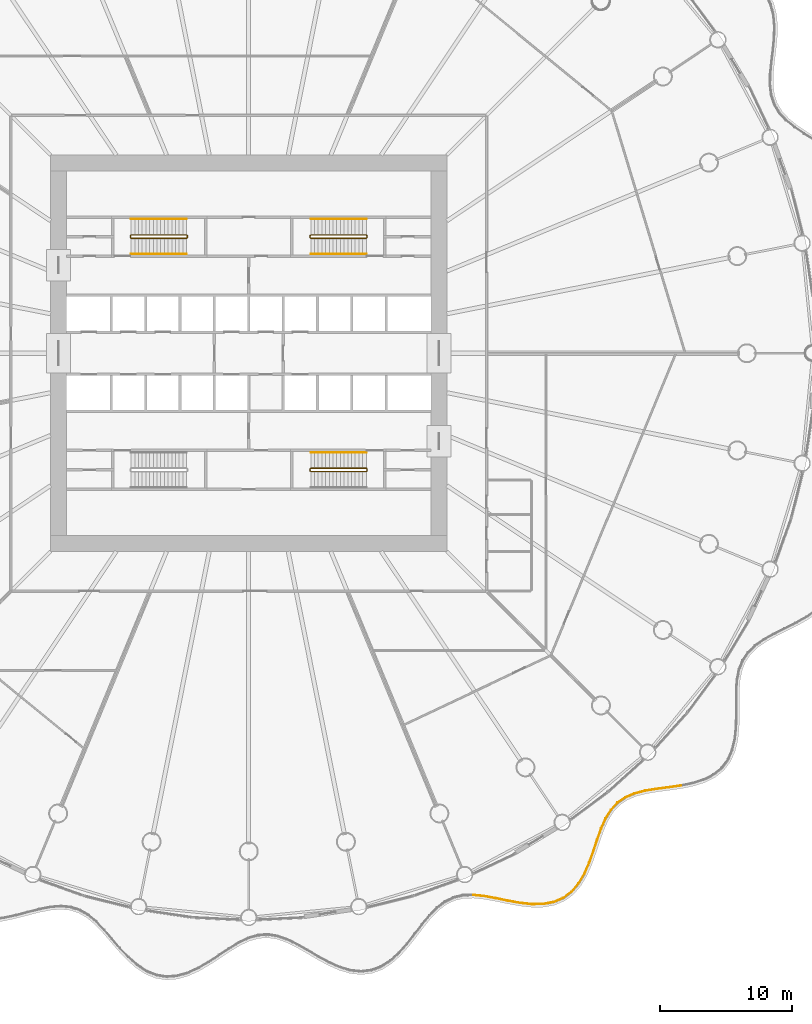
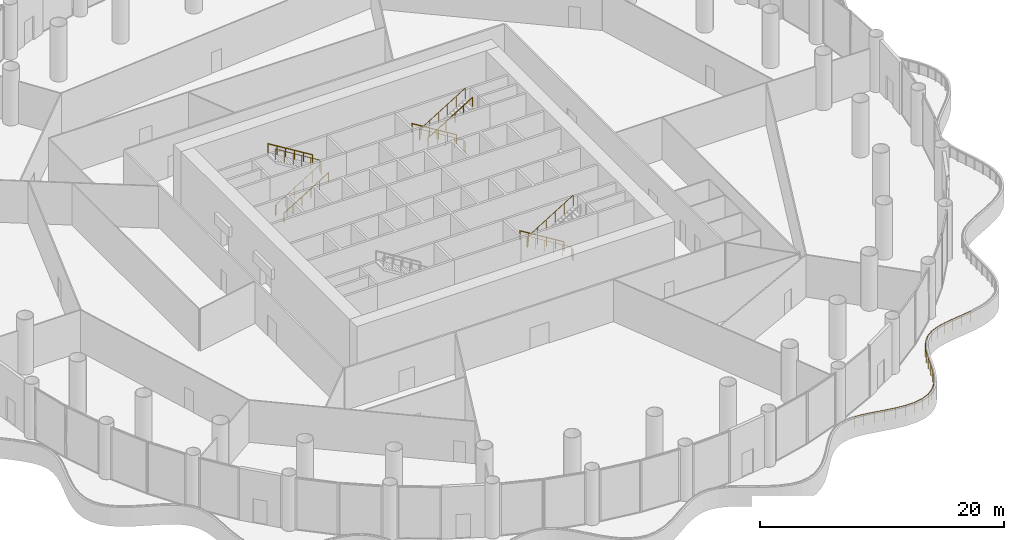
# One storey, part 34 of 37: 9 railings.
"""IFC4 building model written with IfcOpenShell, lengths in metres."""

from ifc_helpers import new_model, si_unit, direction, frame, origin, origin_2d, place, context, subcontext, project, spatial, circle, extrude, material, type_object, element, save


model = new_model("IFC4")

# Units and contexts
model_context = context("Model", 3, precision=1e-05, world=origin(), true_north=direction((0.0, 1.0)))
body_context = subcontext(model_context, "Body", "Model", "MODEL_VIEW")
ifc_project = project(units=[si_unit("LENGTHUNIT", "METRE"), si_unit("AREAUNIT", "SQUARE_METRE"), si_unit("VOLUMEUNIT", "CUBIC_METRE"), si_unit("PLANEANGLEUNIT", "RADIAN"), si_unit("MASSUNIT", "GRAM", prefix="KILO")], contexts=[model_context])

# Site, building, storey
site_placement = place(None, origin())
site = spatial("IfcSite", under=ifc_project, at=site_placement, CompositionType="ELEMENT")
building_placement = place(site_placement, origin())
building = spatial("IfcBuilding", under=site, at=building_placement, Name="Corvane Civic Tower", CompositionType="ELEMENT")
storey_placement = place(building_placement, frame((0.0, 0.0, 11.5)))
storey = spatial("IfcBuildingStorey", under=building, at=storey_placement, Name="L02", CompositionType="ELEMENT", Elevation=11.5)

# Railings
ifc_material_1 = material(Name="Steel ASTM A572 Gr 50", Category="steel")
railing_type_1 = type_object("IfcRailingType", Name="PODIUM-RL-GUARD-1100", PredefinedType="GUARDRAIL", material=ifc_material_1)
railing_1_placement = place(storey_placement, frame((17.009033203125, -41.00634765625, 0.0)))
element("IfcRailing", 1, at=railing_1_placement, inside=storey, type_object=railing_type_1, Name="L02 ribbon guard 10", PredefinedType="GUARDRAIL", context=body_context, shape_type="SweptSolid", body=[
    extrude(circle(Radius=0.02392578125, at=origin_2d()), frame((0.0, 0.0, 1.076171875), z_axis=(0.994563188022, -0.104134840627, 0.0), x_axis=(0.104134840627, 0.994563188022, 0.0)), (0.0, 0.0, 1.0), 0.808837890625),
    extrude(circle(Radius=0.02392578125, at=origin_2d()), frame((0.804443359375, -0.084228515625, 1.076171875), z_axis=(0.983729388064, -0.179656592029, 0.0), x_axis=(0.179656592029, 0.983729388064, 0.0)), (0.0, 0.0, 1.0), 0.891357421875),
    extrude(circle(Radius=0.02392578125, at=origin_2d()), frame((1.681396484375, -0.244384765625, 1.076171875), z_axis=(0.979305409601, -0.202388030095, 0.0), x_axis=(0.202388030095, 0.979305409601, 0.0)), (0.0, 0.0, 1.0), 0.927734375),
    extrude(circle(Radius=0.02392578125, at=origin_2d()), frame((2.58984375, -0.43212890625, 1.076171875), z_axis=(0.983999420882, -0.178171657969, 0.0), x_axis=(0.178171657969, 0.983999420882, 0.0)), (0.0, 0.0, 1.0), 0.93310546875),
    extrude(circle(Radius=0.02392578125, at=origin_2d()), frame((3.508056640625, -0.598388671875, 1.076171875), z_axis=(0.994181417549, -0.107718656697, 0.0), x_axis=(0.107718656697, 0.994181417549, 0.0)), (0.0, 0.0, 1.0), 0.908935546875),
    extrude(circle(Radius=0.02392578125, at=origin_2d()), frame((4.41162109375, -0.6962890625, 1.076171875), z_axis=(0.999911774813, 0.013283169422, 0.0), x_axis=(-0.013283169422, 0.999911774813, 0.0)), (0.0, 0.0, 1.0), 0.86376953125),
    extrude(circle(Radius=0.02392578125, at=origin_2d()), frame((5.275390625, -0.684814453125, 1.076171875), z_axis=(0.982654443902, 0.185446067309, 0.0), x_axis=(-0.185446067309, 0.982654443902, 0.0)), (0.0, 0.0, 1.0), 0.81494140625),
    extrude(circle(Radius=0.02392578125, at=origin_2d()), frame((6.076171875, -0.53369140625, 1.076171875), z_axis=(0.919080514782, 0.394069800096, 0.0), x_axis=(-0.394069800096, 0.919080514782, 0.0)), (0.0, 0.0, 1.0), 0.783203125),
    extrude(circle(Radius=0.02392578125, at=origin_2d()), frame((6.7958984375, -0.22509765625, 1.076171875), z_axis=(0.800859579337, 0.598852180579, 0.0), x_axis=(-0.598852180579, 0.800859579337, 0.0)), (0.0, 0.0, 1.0), 0.783203125),
    extrude(circle(Radius=0.02392578125, at=origin_2d()), frame((7.423095703125, 0.243896484375, 1.076171875), z_axis=(0.651925594689, 0.758282941249, 0.0), x_axis=(-0.758282941249, 0.651925594689, 0.0)), (0.0, 0.0, 1.0), 0.81494140625),
    extrude(circle(Radius=0.02392578125, at=origin_2d()), frame((7.954345703125, 0.86181640625, 1.076171875), z_axis=(0.511250319836, 0.859431853301, 0.0), x_axis=(-0.859431853301, 0.511250319836, 0.0)), (0.0, 0.0, 1.0), 0.86376953125),
    extrude(circle(Radius=0.02392578125, at=origin_2d()), frame((8.39599609375, 1.604248046875, 1.076171875), z_axis=(0.404043622694, 0.914739717603, 0.0), x_axis=(-0.914739717603, 0.404043622694, 0.0)), (0.0, 0.0, 1.0), 0.90869140625),
    extrude(circle(Radius=0.02392578125, at=origin_2d()), frame((8.76318359375, 2.435546875, 1.076171875), z_axis=(0.337496288976, 0.941326858709, 0.0), x_axis=(-0.941326858709, 0.337496288976, 0.0)), (0.0, 0.0, 1.0), 0.93310546875),
    extrude(circle(Radius=0.02392578125, at=origin_2d()), frame((9.078125, 3.31396484375, 1.076171875), z_axis=(0.314490302108, 0.949260685945, 0.0), x_axis=(-0.949260685945, 0.314490302108, 0.0)), (0.0, 0.0, 1.0), 0.927734375),
    extrude(circle(Radius=0.02392578125, at=origin_2d()), frame((9.369873046875, 4.194580078125, 1.076171875), z_axis=(0.336284353127, 0.94176049707, 0.0), x_axis=(-0.94176049707, 0.336284353127, 0.0)), (0.0, 0.0, 1.0), 0.8916015625),
    extrude(circle(Radius=0.02392578125, at=origin_2d()), frame((9.669677734375, 5.0341796875, 1.076171875), z_axis=(0.407062095939, 0.913400487218, 0.0), x_axis=(-0.913400487218, 0.407062095939, 0.0)), (0.0, 0.0, 1.0), 0.833740234375),
    extrude(circle(Radius=0.02392578125, at=origin_2d()), frame((10.009033203125, 5.795654296875, 1.076171875), z_axis=(0.527095063724, 0.849806327229, 0.0), x_axis=(-0.849806327229, 0.527095063724, 0.0)), (0.0, 0.0, 1.0), 0.771728515625),
    extrude(circle(Radius=0.02392578125, at=origin_2d()), frame((10.415771484375, 6.451416015625, 1.076171875), z_axis=(0.680129605089, 0.733091890749, 0.0), x_axis=(-0.733091890749, 0.680129605089, 0.0)), (0.0, 0.0, 1.0), 0.728271484375),
    extrude(circle(Radius=0.02392578125, at=origin_2d()), frame((10.9111328125, 6.9853515625, 1.076171875), z_axis=(0.824769290196, 0.565469378437, 0.0), x_axis=(-0.565469378437, 0.824769290196, 0.0)), (0.0, 0.0, 1.0), 0.72412109375),
    extrude(circle(Radius=0.02392578125, at=origin_2d()), frame((11.50830078125, 7.394775390625, 1.076171875), z_axis=(0.921635375138, 0.388057000058, 0.0), x_axis=(-0.388057000058, 0.921635375138, 0.0)), (0.0, 0.0, 1.0), 0.760009765625),
    extrude(circle(Radius=0.02392578125, at=origin_2d()), frame((12.208740234375, 7.689697265625, 1.076171875), z_axis=(0.968940471293, 0.2472940822, 0.0), x_axis=(-0.2472940822, 0.968940471293, 0.0)), (0.0, 0.0, 1.0), 0.8203125),
    extrude(circle(Radius=0.02392578125, at=origin_2d()), frame((13.003662109375, 7.892578125, 1.076171875), z_axis=(0.987030777898, 0.160531129327, 0.0), x_axis=(-0.160531129327, 0.987030777898, 0.0)), (0.0, 0.0, 1.0), 0.880615234375),
    extrude(circle(Radius=0.02392578125, at=origin_2d()), frame((13.872802734375, 8.033935546875, 1.076171875), z_axis=(0.991831949658, 0.12755149406, 0.0), x_axis=(-0.12755149406, 0.991831949658, 0.0)), (0.0, 0.0, 1.0), 0.922607421875),
    extrude(circle(Radius=0.02392578125, at=origin_2d()), frame((14.787841796875, 8.151611328125, 1.076171875), z_axis=(0.989868812418, 0.141984978788, 0.0), x_axis=(-0.141984978788, 0.989868812418, 0.0)), (0.0, 0.0, 1.0), 0.90966796875),
    extrude(circle(Radius=0.02099609375, at=origin_2d()), origin(), (0.0, 0.0, 1.0), 1.052001953125),
    extrude(circle(Radius=0.02099609375, at=origin_2d()), frame((0.804443359375, -0.084228515625, 0.0)), (0.0, 0.0, 1.0), 1.052001953125),
    extrude(circle(Radius=0.02099609375, at=origin_2d()), frame((1.681396484375, -0.244384765625, 0.0)), (0.0, 0.0, 1.0), 1.052001953125),
    extrude(circle(Radius=0.02099609375, at=origin_2d()), frame((2.58984375, -0.43212890625, 0.0)), (0.0, 0.0, 1.0), 1.052001953125),
    extrude(circle(Radius=0.02099609375, at=origin_2d()), frame((3.508056640625, -0.598388671875, 0.0)), (0.0, 0.0, 1.0), 1.052001953125),
    extrude(circle(Radius=0.02099609375, at=origin_2d()), frame((4.41162109375, -0.6962890625, 0.0)), (0.0, 0.0, 1.0), 1.052001953125),
    extrude(circle(Radius=0.02099609375, at=origin_2d()), frame((5.275390625, -0.684814453125, 0.0)), (0.0, 0.0, 1.0), 1.052001953125),
    extrude(circle(Radius=0.02099609375, at=origin_2d()), frame((6.076171875, -0.53369140625, 0.0)), (0.0, 0.0, 1.0), 1.052001953125),
    extrude(circle(Radius=0.02099609375, at=origin_2d()), frame((6.7958984375, -0.22509765625, 0.0)), (0.0, 0.0, 1.0), 1.052001953125),
    extrude(circle(Radius=0.02099609375, at=origin_2d()), frame((7.423095703125, 0.243896484375, 0.0)), (0.0, 0.0, 1.0), 1.052001953125),
    extrude(circle(Radius=0.02099609375, at=origin_2d()), frame((7.954345703125, 0.86181640625, 0.0)), (0.0, 0.0, 1.0), 1.052001953125),
    extrude(circle(Radius=0.02099609375, at=origin_2d()), frame((8.39599609375, 1.604248046875, 0.0)), (0.0, 0.0, 1.0), 1.052001953125),
    extrude(circle(Radius=0.02099609375, at=origin_2d()), frame((8.76318359375, 2.435546875, 0.0)), (0.0, 0.0, 1.0), 1.052001953125),
    extrude(circle(Radius=0.02099609375, at=origin_2d()), frame((9.078125, 3.31396484375, 0.0)), (0.0, 0.0, 1.0), 1.052001953125),
    extrude(circle(Radius=0.02099609375, at=origin_2d()), frame((9.369873046875, 4.194580078125, 0.0)), (0.0, 0.0, 1.0), 1.052001953125),
    extrude(circle(Radius=0.02099609375, at=origin_2d()), frame((9.669677734375, 5.0341796875, 0.0)), (0.0, 0.0, 1.0), 1.052001953125),
    extrude(circle(Radius=0.02099609375, at=origin_2d()), frame((10.009033203125, 5.795654296875, 0.0)), (0.0, 0.0, 1.0), 1.052001953125),
    extrude(circle(Radius=0.02099609375, at=origin_2d()), frame((10.415771484375, 6.451416015625, 0.0)), (0.0, 0.0, 1.0), 1.052001953125),
    extrude(circle(Radius=0.02099609375, at=origin_2d()), frame((10.9111328125, 6.9853515625, 0.0)), (0.0, 0.0, 1.0), 1.052001953125),
    extrude(circle(Radius=0.02099609375, at=origin_2d()), frame((11.50830078125, 7.394775390625, 0.0)), (0.0, 0.0, 1.0), 1.052001953125),
    extrude(circle(Radius=0.02099609375, at=origin_2d()), frame((12.208740234375, 7.689697265625, 0.0)), (0.0, 0.0, 1.0), 1.052001953125),
    extrude(circle(Radius=0.02099609375, at=origin_2d()), frame((13.003662109375, 7.892578125, 0.0)), (0.0, 0.0, 1.0), 1.052001953125),
    extrude(circle(Radius=0.02099609375, at=origin_2d()), frame((13.872802734375, 8.033935546875, 0.0)), (0.0, 0.0, 1.0), 1.052001953125),
    extrude(circle(Radius=0.02099609375, at=origin_2d()), frame((14.787841796875, 8.151611328125, 0.0)), (0.0, 0.0, 1.0), 1.052001953125),
    extrude(circle(Radius=0.02099609375, at=origin_2d()), frame((15.688232421875, 8.28076171875, 0.0)), (0.0, 0.0, 1.0), 1.052001953125),
])
ifc_material_2 = material(Name="Steel ASTM A572 Gr 50", Category="steel")
railing_type_2 = type_object("IfcRailingType", Name="ST-GUARD-1100", PredefinedType="GUARDRAIL", material=ifc_material_2)
railing_2_placement = place(storey_placement, frame((8.949951171875, 8.75, 0.0)))
element("IfcRailing", 2, at=railing_2_placement, inside=storey, type_object=railing_type_2, Name="L02 ST1 stair guard 1", PredefinedType="GUARDRAIL", context=body_context, shape_type="SweptSolid", body=[
    extrude(circle(Radius=0.02392578125, at=origin_2d()), frame((0.0, 0.0, 1.076171875), z_axis=(0.0, 1.0, 0.0), x_axis=(-1.0, 0.0, 0.0)), (0.0, 0.0, 1.0), 0.14990234375),
    extrude(circle(Radius=0.02392578125, at=origin_2d()), frame((0.0, 0.14990234375, 1.076171875), z_axis=(-0.269255725606, 0.269255725606, 0.92466356501), x_axis=(-0.707106781187, -0.707106781187, 0.0)), (0.0, 0.0, 1.0), 0.185791015625),
    extrude(circle(Radius=0.02392578125, at=origin_2d()), frame((-0.050048828125, 0.199951171875, 1.248046875), z_axis=(-0.852242915053, 0.0, 0.523146264196), x_axis=(0.0, -1.0, 0.0)), (0.0, 0.0, 1.0), 4.92822265625),
    extrude(circle(Radius=0.02392578125, at=origin_2d()), frame((-4.25, 0.199951171875, 3.826171875), z_axis=(-0.707106781187, -0.707106781187, 0.0), x_axis=(0.707106781187, -0.707106781187, 0.0)), (0.0, 0.0, 1.0), 0.07080078125),
    extrude(circle(Radius=0.02392578125, at=origin_2d()), frame((-4.300048828125, 0.14990234375, 3.826171875), z_axis=(0.0, -1.0, 0.0), x_axis=(1.0, 0.0, 0.0)), (0.0, 0.0, 1.0), 0.14990234375),
    extrude(circle(Radius=0.02392578125, at=origin_2d()), frame((-4.300048828125, 0.0, 3.826171875), z_axis=(0.269255725606, -0.269255725606, 0.92466356501), x_axis=(0.707106781187, 0.707106781187, 0.0)), (0.0, 0.0, 1.0), 0.185791015625),
    extrude(circle(Radius=0.02392578125, at=origin_2d()), frame((-4.25, -0.050048828125, 3.998046875), z_axis=(0.852242915053, 0.0, 0.523146264196), x_axis=(0.0, 1.0, 0.0)), (0.0, 0.0, 1.0), 4.92822265625),
    extrude(circle(Radius=0.02099609375, at=origin_2d()), origin(), (0.0, 0.0, 1.0), 1.052001953125),
    extrude(circle(Radius=0.02099609375, at=origin_2d()), frame((0.0, 0.14990234375, 0.0)), (0.0, 0.0, 1.0), 1.052001953125),
    extrude(circle(Radius=0.02099609375, at=origin_2d()), frame((-0.050048828125, 0.199951171875, 0.171875)), (0.0, 0.0, 1.0), 1.052001953125),
    extrude(circle(Radius=0.02099609375, at=origin_2d()), frame((-0.89013671875, 0.199951171875, 0.6875)), (0.0, 0.0, 1.0), 1.052001953125),
    extrude(circle(Radius=0.02099609375, at=origin_2d()), frame((-1.72998046875, 0.199951171875, 1.203125)), (0.0, 0.0, 1.0), 1.052001953125),
    extrude(circle(Radius=0.02099609375, at=origin_2d()), frame((-2.570068359375, 0.199951171875, 1.71875)), (0.0, 0.0, 1.0), 1.052001953125),
    extrude(circle(Radius=0.02099609375, at=origin_2d()), frame((-3.409912109375, 0.199951171875, 2.234375)), (0.0, 0.0, 1.0), 1.052001953125),
    extrude(circle(Radius=0.02099609375, at=origin_2d()), frame((-4.25, 0.199951171875, 2.75)), (0.0, 0.0, 1.0), 1.052001953125),
    extrude(circle(Radius=0.02099609375, at=origin_2d()), frame((-4.300048828125, 0.14990234375, 2.75)), (0.0, 0.0, 1.0), 1.052001953125),
    extrude(circle(Radius=0.02099609375, at=origin_2d()), frame((-4.300048828125, 0.0, 2.75)), (0.0, 0.0, 1.0), 1.052001953125),
    extrude(circle(Radius=0.02099609375, at=origin_2d()), frame((-4.25, -0.050048828125, 2.921875)), (0.0, 0.0, 1.0), 1.052001953125),
    extrude(circle(Radius=0.02099609375, at=origin_2d()), frame((-3.409912109375, -0.050048828125, 3.4375)), (0.0, 0.0, 1.0), 1.052001953125),
    extrude(circle(Radius=0.02099609375, at=origin_2d()), frame((-2.570068359375, -0.050048828125, 3.953125)), (0.0, 0.0, 1.0), 1.052001953125),
    extrude(circle(Radius=0.02099609375, at=origin_2d()), frame((-1.72998046875, -0.050048828125, 4.46875)), (0.0, 0.0, 1.0), 1.052001953125),
    extrude(circle(Radius=0.02099609375, at=origin_2d()), frame((-0.89013671875, -0.050048828125, 4.984375)), (0.0, 0.0, 1.0), 1.052001953125),
    extrude(circle(Radius=0.02099609375, at=origin_2d()), frame((-0.050048828125, -0.050048828125, 5.5)), (0.0, 0.0, 1.0), 1.052001953125),
])
railing_3_placement = place(storey_placement, frame((8.949951171875, -8.89990234375, 0.0)))
element("IfcRailing", 3, at=railing_3_placement, inside=storey, type_object=railing_type_2, Name="L02 ST2 stair guard 1", PredefinedType="GUARDRAIL", context=body_context, shape_type="SweptSolid", body=[
    extrude(circle(Radius=0.02392578125, at=origin_2d()), frame((0.0, 0.0, 1.076171875), z_axis=(0.0, 1.0, 0.0), x_axis=(-1.0, 0.0, 0.0)), (0.0, 0.0, 1.0), 0.14990234375),
    extrude(circle(Radius=0.02392578125, at=origin_2d()), frame((0.0, 0.14990234375, 1.076171875), z_axis=(-0.269255725606, 0.269255725606, 0.92466356501), x_axis=(-0.707106781187, -0.707106781187, 0.0)), (0.0, 0.0, 1.0), 0.185791015625),
    extrude(circle(Radius=0.02392578125, at=origin_2d()), frame((-0.050048828125, 0.199951171875, 1.248046875), z_axis=(-0.852242915053, 0.0, 0.523146264196), x_axis=(0.0, -1.0, 0.0)), (0.0, 0.0, 1.0), 4.92822265625),
    extrude(circle(Radius=0.02392578125, at=origin_2d()), frame((-4.25, 0.199951171875, 3.826171875), z_axis=(-0.707106781187, -0.707106781187, 0.0), x_axis=(0.707106781187, -0.707106781187, 0.0)), (0.0, 0.0, 1.0), 0.07080078125),
    extrude(circle(Radius=0.02392578125, at=origin_2d()), frame((-4.300048828125, 0.14990234375, 3.826171875), z_axis=(0.0, -1.0, 0.0), x_axis=(1.0, 0.0, 0.0)), (0.0, 0.0, 1.0), 0.14990234375),
    extrude(circle(Radius=0.02392578125, at=origin_2d()), frame((-4.300048828125, 0.0, 3.826171875), z_axis=(0.269255725606, -0.269255725606, 0.92466356501), x_axis=(0.707106781187, 0.707106781187, 0.0)), (0.0, 0.0, 1.0), 0.185791015625),
    extrude(circle(Radius=0.02392578125, at=origin_2d()), frame((-4.25, -0.050048828125, 3.998046875), z_axis=(0.852242915053, 0.0, 0.523146264196), x_axis=(0.0, 1.0, 0.0)), (0.0, 0.0, 1.0), 4.92822265625),
    extrude(circle(Radius=0.02099609375, at=origin_2d()), origin(), (0.0, 0.0, 1.0), 1.052001953125),
    extrude(circle(Radius=0.02099609375, at=origin_2d()), frame((0.0, 0.14990234375, 0.0)), (0.0, 0.0, 1.0), 1.052001953125),
    extrude(circle(Radius=0.02099609375, at=origin_2d()), frame((-0.050048828125, 0.199951171875, 0.171875)), (0.0, 0.0, 1.0), 1.052001953125),
    extrude(circle(Radius=0.02099609375, at=origin_2d()), frame((-0.89013671875, 0.199951171875, 0.6875)), (0.0, 0.0, 1.0), 1.052001953125),
    extrude(circle(Radius=0.02099609375, at=origin_2d()), frame((-1.72998046875, 0.199951171875, 1.203125)), (0.0, 0.0, 1.0), 1.052001953125),
    extrude(circle(Radius=0.02099609375, at=origin_2d()), frame((-2.570068359375, 0.199951171875, 1.71875)), (0.0, 0.0, 1.0), 1.052001953125),
    extrude(circle(Radius=0.02099609375, at=origin_2d()), frame((-3.409912109375, 0.199951171875, 2.234375)), (0.0, 0.0, 1.0), 1.052001953125),
    extrude(circle(Radius=0.02099609375, at=origin_2d()), frame((-4.25, 0.199951171875, 2.75)), (0.0, 0.0, 1.0), 1.052001953125),
    extrude(circle(Radius=0.02099609375, at=origin_2d()), frame((-4.300048828125, 0.14990234375, 2.75)), (0.0, 0.0, 1.0), 1.052001953125),
    extrude(circle(Radius=0.02099609375, at=origin_2d()), frame((-4.300048828125, 0.0, 2.75)), (0.0, 0.0, 1.0), 1.052001953125),
    extrude(circle(Radius=0.02099609375, at=origin_2d()), frame((-4.25, -0.050048828125, 2.921875)), (0.0, 0.0, 1.0), 1.052001953125),
    extrude(circle(Radius=0.02099609375, at=origin_2d()), frame((-3.409912109375, -0.050048828125, 3.4375)), (0.0, 0.0, 1.0), 1.052001953125),
    extrude(circle(Radius=0.02099609375, at=origin_2d()), frame((-2.570068359375, -0.050048828125, 3.953125)), (0.0, 0.0, 1.0), 1.052001953125),
    extrude(circle(Radius=0.02099609375, at=origin_2d()), frame((-1.72998046875, -0.050048828125, 4.46875)), (0.0, 0.0, 1.0), 1.052001953125),
    extrude(circle(Radius=0.02099609375, at=origin_2d()), frame((-0.89013671875, -0.050048828125, 4.984375)), (0.0, 0.0, 1.0), 1.052001953125),
    extrude(circle(Radius=0.02099609375, at=origin_2d()), frame((-0.050048828125, -0.050048828125, 5.5)), (0.0, 0.0, 1.0), 1.052001953125),
])
railing_4_placement = place(storey_placement, frame((-8.949951171875, 8.89990234375, 0.0)))
element("IfcRailing", 4, at=railing_4_placement, inside=storey, type_object=railing_type_2, Name="L02 ST4 stair guard 1", PredefinedType="GUARDRAIL", context=body_context, shape_type="SweptSolid", body=[
    extrude(circle(Radius=0.02392578125, at=origin_2d()), frame((0.0, 0.0, 1.076171875), z_axis=(0.0, -1.0, 0.0), x_axis=(1.0, 0.0, 0.0)), (0.0, 0.0, 1.0), 0.14990234375),
    extrude(circle(Radius=0.02392578125, at=origin_2d()), frame((0.0, -0.14990234375, 1.076171875), z_axis=(0.269255725606, -0.269255725606, 0.92466356501), x_axis=(0.707106781187, 0.707106781187, 0.0)), (0.0, 0.0, 1.0), 0.185791015625),
    extrude(circle(Radius=0.02392578125, at=origin_2d()), frame((0.050048828125, -0.199951171875, 1.248046875), z_axis=(0.852242915053, 0.0, 0.523146264196), x_axis=(0.0, 1.0, 0.0)), (0.0, 0.0, 1.0), 4.92822265625),
    extrude(circle(Radius=0.02392578125, at=origin_2d()), frame((4.25, -0.199951171875, 3.826171875), z_axis=(0.707106781187, 0.707106781187, 0.0), x_axis=(-0.707106781187, 0.707106781187, 0.0)), (0.0, 0.0, 1.0), 0.07080078125),
    extrude(circle(Radius=0.02392578125, at=origin_2d()), frame((4.300048828125, -0.14990234375, 3.826171875), z_axis=(0.0, 1.0, 0.0), x_axis=(-1.0, 0.0, 0.0)), (0.0, 0.0, 1.0), 0.14990234375),
    extrude(circle(Radius=0.02392578125, at=origin_2d()), frame((4.300048828125, 0.0, 3.826171875), z_axis=(-0.269255725606, 0.269255725606, 0.92466356501), x_axis=(-0.707106781187, -0.707106781187, 0.0)), (0.0, 0.0, 1.0), 0.185791015625),
    extrude(circle(Radius=0.02392578125, at=origin_2d()), frame((4.25, 0.050048828125, 3.998046875), z_axis=(-0.852242915053, 0.0, 0.523146264196), x_axis=(0.0, -1.0, 0.0)), (0.0, 0.0, 1.0), 4.92822265625),
    extrude(circle(Radius=0.02099609375, at=origin_2d()), origin(), (0.0, 0.0, 1.0), 1.052001953125),
    extrude(circle(Radius=0.02099609375, at=origin_2d()), frame((0.0, -0.14990234375, 0.0)), (0.0, 0.0, 1.0), 1.052001953125),
    extrude(circle(Radius=0.02099609375, at=origin_2d()), frame((0.050048828125, -0.199951171875, 0.171875)), (0.0, 0.0, 1.0), 1.052001953125),
    extrude(circle(Radius=0.02099609375, at=origin_2d()), frame((0.89013671875, -0.199951171875, 0.6875)), (0.0, 0.0, 1.0), 1.052001953125),
    extrude(circle(Radius=0.02099609375, at=origin_2d()), frame((1.72998046875, -0.199951171875, 1.203125)), (0.0, 0.0, 1.0), 1.052001953125),
    extrude(circle(Radius=0.02099609375, at=origin_2d()), frame((2.570068359375, -0.199951171875, 1.71875)), (0.0, 0.0, 1.0), 1.052001953125),
    extrude(circle(Radius=0.02099609375, at=origin_2d()), frame((3.409912109375, -0.199951171875, 2.234375)), (0.0, 0.0, 1.0), 1.052001953125),
    extrude(circle(Radius=0.02099609375, at=origin_2d()), frame((4.25, -0.199951171875, 2.75)), (0.0, 0.0, 1.0), 1.052001953125),
    extrude(circle(Radius=0.02099609375, at=origin_2d()), frame((4.300048828125, -0.14990234375, 2.75)), (0.0, 0.0, 1.0), 1.052001953125),
    extrude(circle(Radius=0.02099609375, at=origin_2d()), frame((4.300048828125, 0.0, 2.75)), (0.0, 0.0, 1.0), 1.052001953125),
    extrude(circle(Radius=0.02099609375, at=origin_2d()), frame((4.25, 0.050048828125, 2.921875)), (0.0, 0.0, 1.0), 1.052001953125),
    extrude(circle(Radius=0.02099609375, at=origin_2d()), frame((3.409912109375, 0.050048828125, 3.4375)), (0.0, 0.0, 1.0), 1.052001953125),
    extrude(circle(Radius=0.02099609375, at=origin_2d()), frame((2.570068359375, 0.050048828125, 3.953125)), (0.0, 0.0, 1.0), 1.052001953125),
    extrude(circle(Radius=0.02099609375, at=origin_2d()), frame((1.72998046875, 0.050048828125, 4.46875)), (0.0, 0.0, 1.0), 1.052001953125),
    extrude(circle(Radius=0.02099609375, at=origin_2d()), frame((0.89013671875, 0.050048828125, 4.984375)), (0.0, 0.0, 1.0), 1.052001953125),
    extrude(circle(Radius=0.02099609375, at=origin_2d()), frame((0.050048828125, 0.050048828125, 5.5)), (0.0, 0.0, 1.0), 1.052001953125),
])
ifc_material_3 = material(Name="Steel ASTM A572 Gr 50", Category="steel")
railing_type_3 = type_object("IfcRailingType", Name="ST-HANDRAIL-900", PredefinedType="HANDRAIL", material=ifc_material_3)
railing_5_placement = place(storey_placement, frame((8.89990234375, 10.14990234375, 0.171875)))
element("IfcRailing", 5, at=railing_5_placement, inside=storey, type_object=railing_type_3, Name="L02 ST1 stair handrail 1", PredefinedType="HANDRAIL", context=body_context, shape_type="SweptSolid", body=[
    extrude(circle(Radius=0.02392578125, at=origin_2d()), frame((0.0, 0.0, 0.8759765625), z_axis=(-0.852242915053, 0.0, 0.523146264196), x_axis=(0.0, -1.0, 0.0)), (0.0, 0.0, 1.0), 4.92822265625),
    extrude(circle(Radius=0.02099609375, at=origin_2d()), origin(), (0.0, 0.0, 1.0), 0.851806640625),
    extrude(circle(Radius=0.02099609375, at=origin_2d()), frame((-0.840087890625, 0.0, 0.515625)), (0.0, 0.0, 1.0), 0.851806640625),
    extrude(circle(Radius=0.02099609375, at=origin_2d()), frame((-1.679931640625, 0.0, 1.03125)), (0.0, 0.0, 1.0), 0.851806640625),
    extrude(circle(Radius=0.02099609375, at=origin_2d()), frame((-2.52001953125, 0.0, 1.546875)), (0.0, 0.0, 1.0), 0.851806640625),
    extrude(circle(Radius=0.02099609375, at=origin_2d()), frame((-3.35986328125, 0.0, 2.0625)), (0.0, 0.0, 1.0), 0.851806640625),
    extrude(circle(Radius=0.02099609375, at=origin_2d()), frame((-4.199951171875, 0.0, 2.578125)), (0.0, 0.0, 1.0), 0.851806640625),
])
railing_6_placement = place(storey_placement, frame((4.699951171875, 7.5, 2.921875)))
element("IfcRailing", 6, at=railing_6_placement, inside=storey, type_object=railing_type_3, Name="L02 ST1 stair handrail 2", PredefinedType="HANDRAIL", context=body_context, shape_type="SweptSolid", body=[
    extrude(circle(Radius=0.02392578125, at=origin_2d()), frame((0.0, 0.0, 0.8759765625), z_axis=(0.852242915053, 0.0, 0.523146264196), x_axis=(0.0, 1.0, 0.0)), (0.0, 0.0, 1.0), 4.92822265625),
    extrude(circle(Radius=0.02099609375, at=origin_2d()), origin(), (0.0, 0.0, 1.0), 0.851806640625),
    extrude(circle(Radius=0.02099609375, at=origin_2d()), frame((0.840087890625, 0.0, 0.515625)), (0.0, 0.0, 1.0), 0.851806640625),
    extrude(circle(Radius=0.02099609375, at=origin_2d()), frame((1.679931640625, 0.0, 1.03125)), (0.0, 0.0, 1.0), 0.851806640625),
    extrude(circle(Radius=0.02099609375, at=origin_2d()), frame((2.52001953125, 0.0, 1.546875)), (0.0, 0.0, 1.0), 0.851806640625),
    extrude(circle(Radius=0.02099609375, at=origin_2d()), frame((3.35986328125, 0.0, 2.0625)), (0.0, 0.0, 1.0), 0.851806640625),
    extrude(circle(Radius=0.02099609375, at=origin_2d()), frame((4.199951171875, 0.0, 2.578125)), (0.0, 0.0, 1.0), 0.851806640625),
])
railing_7_placement = place(storey_placement, frame((8.89990234375, -7.5, 0.171875)))
element("IfcRailing", 7, at=railing_7_placement, inside=storey, type_object=railing_type_3, Name="L02 ST2 stair handrail 1", PredefinedType="HANDRAIL", context=body_context, shape_type="SweptSolid", body=[
    extrude(circle(Radius=0.02392578125, at=origin_2d()), frame((0.0, 0.0, 0.8759765625), z_axis=(-0.852242915053, 0.0, 0.523146264196), x_axis=(0.0, -1.0, 0.0)), (0.0, 0.0, 1.0), 4.92822265625),
    extrude(circle(Radius=0.02099609375, at=origin_2d()), origin(), (0.0, 0.0, 1.0), 0.851806640625),
    extrude(circle(Radius=0.02099609375, at=origin_2d()), frame((-0.840087890625, 0.0, 0.515625)), (0.0, 0.0, 1.0), 0.851806640625),
    extrude(circle(Radius=0.02099609375, at=origin_2d()), frame((-1.679931640625, 0.0, 1.03125)), (0.0, 0.0, 1.0), 0.851806640625),
    extrude(circle(Radius=0.02099609375, at=origin_2d()), frame((-2.52001953125, 0.0, 1.546875)), (0.0, 0.0, 1.0), 0.851806640625),
    extrude(circle(Radius=0.02099609375, at=origin_2d()), frame((-3.35986328125, 0.0, 2.0625)), (0.0, 0.0, 1.0), 0.851806640625),
    extrude(circle(Radius=0.02099609375, at=origin_2d()), frame((-4.199951171875, 0.0, 2.578125)), (0.0, 0.0, 1.0), 0.851806640625),
])
railing_8_placement = place(storey_placement, frame((-8.89990234375, 7.5, 0.171875)))
element("IfcRailing", 8, at=railing_8_placement, inside=storey, type_object=railing_type_3, Name="L02 ST4 stair handrail 1", PredefinedType="HANDRAIL", context=body_context, shape_type="SweptSolid", body=[
    extrude(circle(Radius=0.02392578125, at=origin_2d()), frame((0.0, 0.0, 0.8759765625), z_axis=(0.852242915053, 0.0, 0.523146264196), x_axis=(0.0, 1.0, 0.0)), (0.0, 0.0, 1.0), 4.92822265625),
    extrude(circle(Radius=0.02099609375, at=origin_2d()), origin(), (0.0, 0.0, 1.0), 0.851806640625),
    extrude(circle(Radius=0.02099609375, at=origin_2d()), frame((0.840087890625, 0.0, 0.515625)), (0.0, 0.0, 1.0), 0.851806640625),
    extrude(circle(Radius=0.02099609375, at=origin_2d()), frame((1.679931640625, 0.0, 1.03125)), (0.0, 0.0, 1.0), 0.851806640625),
    extrude(circle(Radius=0.02099609375, at=origin_2d()), frame((2.52001953125, 0.0, 1.546875)), (0.0, 0.0, 1.0), 0.851806640625),
    extrude(circle(Radius=0.02099609375, at=origin_2d()), frame((3.35986328125, 0.0, 2.0625)), (0.0, 0.0, 1.0), 0.851806640625),
    extrude(circle(Radius=0.02099609375, at=origin_2d()), frame((4.199951171875, 0.0, 2.578125)), (0.0, 0.0, 1.0), 0.851806640625),
])
railing_9_placement = place(storey_placement, frame((-4.699951171875, 10.14990234375, 2.921875)))
element("IfcRailing", 9, at=railing_9_placement, inside=storey, type_object=railing_type_3, Name="L02 ST4 stair handrail 2", PredefinedType="HANDRAIL", context=body_context, shape_type="SweptSolid", body=[
    extrude(circle(Radius=0.02392578125, at=origin_2d()), frame((0.0, 0.0, 0.8759765625), z_axis=(-0.852242915053, 0.0, 0.523146264196), x_axis=(0.0, -1.0, 0.0)), (0.0, 0.0, 1.0), 4.92822265625),
    extrude(circle(Radius=0.02099609375, at=origin_2d()), origin(), (0.0, 0.0, 1.0), 0.851806640625),
    extrude(circle(Radius=0.02099609375, at=origin_2d()), frame((-0.840087890625, 0.0, 0.515625)), (0.0, 0.0, 1.0), 0.851806640625),
    extrude(circle(Radius=0.02099609375, at=origin_2d()), frame((-1.679931640625, 0.0, 1.03125)), (0.0, 0.0, 1.0), 0.851806640625),
    extrude(circle(Radius=0.02099609375, at=origin_2d()), frame((-2.52001953125, 0.0, 1.546875)), (0.0, 0.0, 1.0), 0.851806640625),
    extrude(circle(Radius=0.02099609375, at=origin_2d()), frame((-3.35986328125, 0.0, 2.0625)), (0.0, 0.0, 1.0), 0.851806640625),
    extrude(circle(Radius=0.02099609375, at=origin_2d()), frame((-4.199951171875, 0.0, 2.578125)), (0.0, 0.0, 1.0), 0.851806640625),
])

save(model, "model.ifc")
